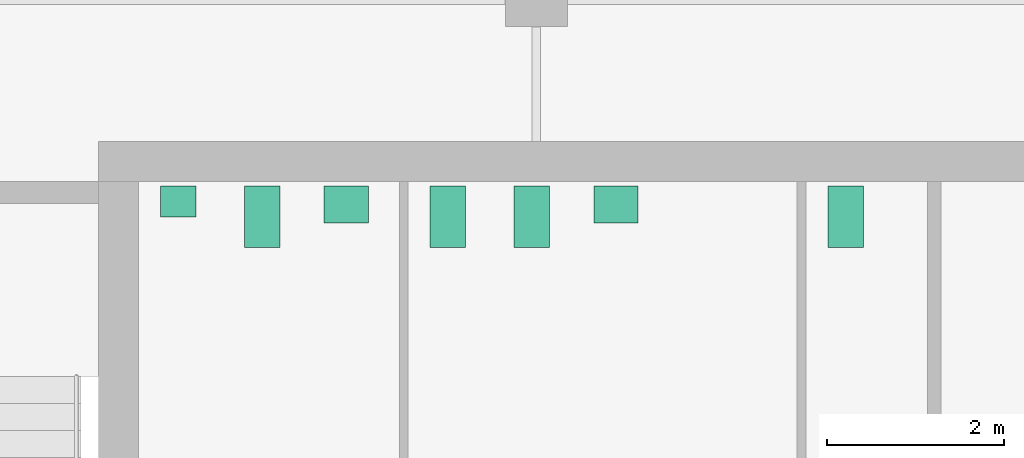
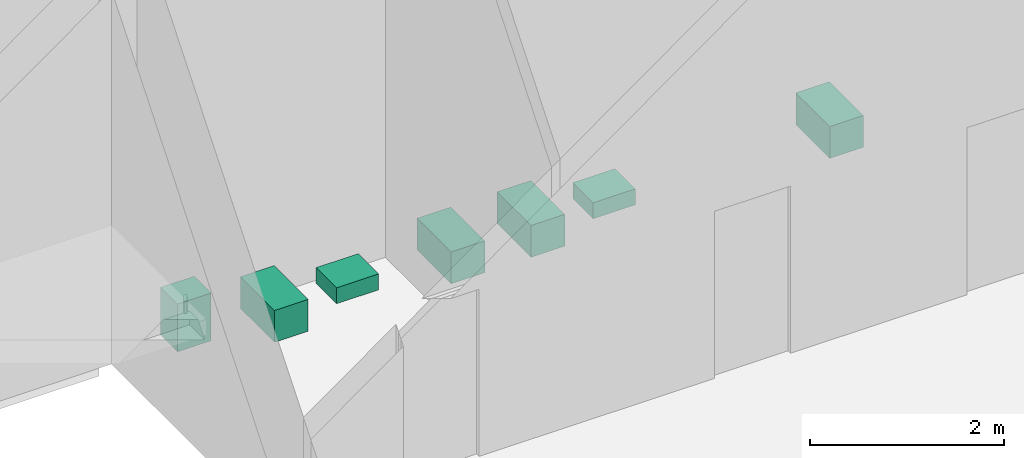
# One storey, part 7 of 8: 7 sanitary terminals.
"""IFC4 building model written with IfcOpenShell, lengths in metres."""

from ifc_helpers import new_model, si_unit, direction, frame, origin, origin_2d, place, context, subcontext, project, spatial, rectangle, extrude, material, type_object, element, save


model = new_model("IFC4")

# Units and contexts
model_context = context("Model", 3, precision=1e-05, world=origin(), true_north=direction((0.0, 1.0)))
body_context = subcontext(model_context, "Body", "Model", "MODEL_VIEW")
ifc_project = project(units=[si_unit("LENGTHUNIT", "METRE"), si_unit("AREAUNIT", "SQUARE_METRE"), si_unit("VOLUMEUNIT", "CUBIC_METRE"), si_unit("PLANEANGLEUNIT", "RADIAN"), si_unit("MASSUNIT", "GRAM", prefix="KILO")], contexts=[model_context])

# Site, building, storey
site_placement = place(None, origin())
site = spatial("IfcSite", under=ifc_project, at=site_placement, CompositionType="ELEMENT")
building_placement = place(site_placement, origin())
building = spatial("IfcBuilding", under=site, at=building_placement, Name="Cinnabar Reach Civic Tower", CompositionType="ELEMENT")
storey_placement = place(building_placement, frame((0.0, 0.0, 291.0)))
storey = spatial("IfcBuildingStorey", under=building, at=storey_placement, Name="L69", CompositionType="ELEMENT", Elevation=291.0)

# Sanitary terminals
ifc_material = material(Name="Vitreous china")
sanitary_terminal_type_1 = type_object("IfcSanitaryTerminalType", Name="T1 WC pan", PredefinedType="TOILETPAN", material=ifc_material)
for number, where, z_axis, x_axis, name in (
    (1, (5.9, 41.6, 0.0), (0.0, 0.0, 1.0), (1.0, 0.0, 0.0), "T1 WC pan 6908-2"),
    (2, (8.0, 41.6, 0.0), (0.0, 0.0, 1.0), (1.0, 0.0, 0.0), "T1 WC pan 6909-1"),
    (3, (8.95, 41.6, 0.0), (0.0, 0.0, 1.0), (1.0, 0.0, 0.0), "T1 WC pan 6909-2"),
    (4, (12.5, 41.6, 0.0), (0.0, 0.0, 1.0), (1.0, 0.0, 0.0), "T1 WC pan 6910-1"),
):
    element("IfcSanitaryTerminal", number, at=place(storey_placement, frame(where, z_axis=z_axis, x_axis=x_axis)), inside=storey, type_object=sanitary_terminal_type_1, Name=name, PredefinedType="TOILETPAN", context=body_context, shape_type="SweptSolid", body=[
        extrude(rectangle(XDim=0.4, YDim=0.7, at=origin_2d()), origin(), (0.0, 0.0, 1.0), 0.4),
    ])
sanitary_terminal_type_2 = type_object("IfcSanitaryTerminalType", Name="T1 urinal", PredefinedType="URINAL", material=ifc_material)
sanitary_terminal_placement = place(storey_placement, frame((4.95, 41.775, 0.0), z_axis=(0.0, 0.0, 1.0), x_axis=(1.0, 0.0, 0.0)))
element("IfcSanitaryTerminal", 5, at=sanitary_terminal_placement, inside=storey, type_object=sanitary_terminal_type_2, Name="T1 urinal 6908-1", PredefinedType="URINAL", context=body_context, shape_type="SweptSolid", body=[
    extrude(rectangle(XDim=0.4, YDim=0.35, at=origin_2d()), origin(), (0.0, 0.0, 1.0), 0.6),
])
sanitary_terminal_type_3 = type_object("IfcSanitaryTerminalType", Name="T1 wash basin", PredefinedType="WASHHANDBASIN", material=ifc_material)
for number, where, z_axis, x_axis, name in (
    (6, (6.85, 41.74, 0.0), (0.0, 0.0, 1.0), (1.0, 0.0, 0.0), "T1 wash basin 6908-3"),
    (7, (9.9, 41.74, 0.0), (0.0, 0.0, 1.0), (1.0, 0.0, 0.0), "T1 wash basin 6909-3"),
):
    element("IfcSanitaryTerminal", number, at=place(storey_placement, frame(where, z_axis=z_axis, x_axis=x_axis)), inside=storey, type_object=sanitary_terminal_type_3, Name=name, PredefinedType="WASHHANDBASIN", context=body_context, shape_type="SweptSolid", body=[
        extrude(rectangle(XDim=0.5, YDim=0.42, at=origin_2d()), origin(), (0.0, 0.0, 1.0), 0.2),
    ])

save(model, "model.ifc")
